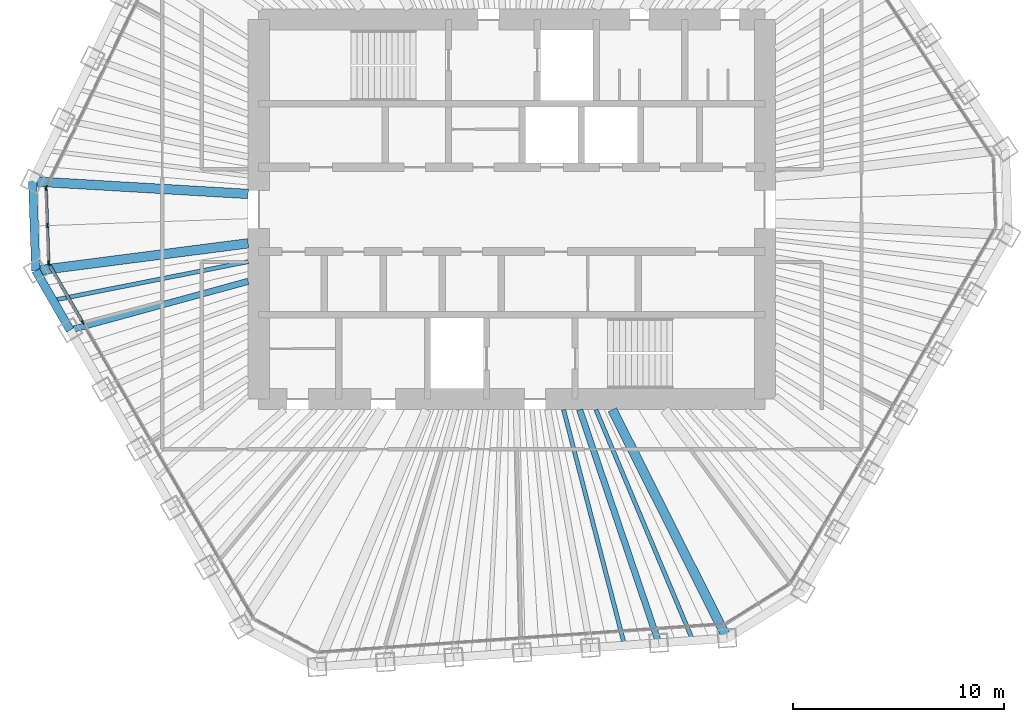
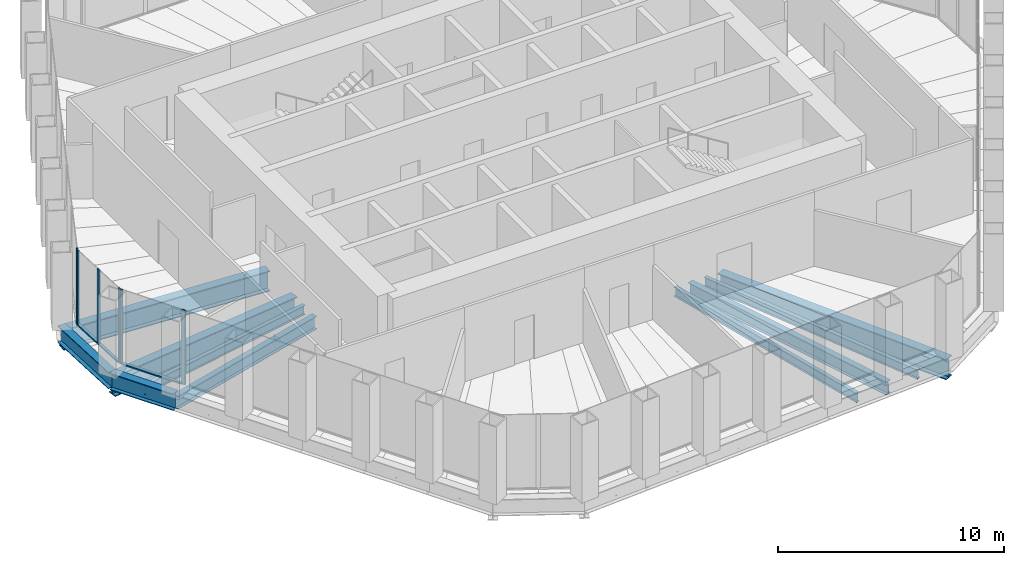
# One storey, part 3 of 14: 10 beams, 9 members, 3 elements without a shape of their own.
"""IFC4 building model written with IfcOpenShell, lengths in metres."""

from ifc_helpers import new_model, si_unit, direction, frame, origin, origin_2d, place, context, subcontext, project, spatial, rectangle, i_section, extrude, material, material_profile, profile_set, type_object, element, aggregate, save


model = new_model("IFC4")

# Units and contexts
model_context = context("Model", 3, precision=1e-05, world=origin(), true_north=direction((0.0, 1.0)))
body_context = subcontext(model_context, "Body", "Model", "MODEL_VIEW")
ifc_project = project(units=[si_unit("LENGTHUNIT", "METRE"), si_unit("AREAUNIT", "SQUARE_METRE"), si_unit("VOLUMEUNIT", "CUBIC_METRE"), si_unit("PLANEANGLEUNIT", "RADIAN"), si_unit("MASSUNIT", "GRAM", prefix="KILO")], contexts=[model_context])

# Site, building, storey
site_placement = place(None, origin())
site = spatial("IfcSite", under=ifc_project, at=site_placement, CompositionType="ELEMENT")
building_placement = place(site_placement, origin())
building = spatial("IfcBuilding", under=site, at=building_placement, Name="Qingtian Harvest Tower", CompositionType="ELEMENT")
storey_placement = place(building_placement, frame((0.0, 0.0, 295.60009765625)))
storey = spatial("IfcBuildingStorey", under=building, at=storey_placement, Name="L65", CompositionType="ELEMENT", Elevation=295.60009765625)

# Beams
ifc_material_1 = material(Name="Steel SM570MC", Category="steel")
ifc_material_profile_1 = material_profile(ifc_material_1, i_section(OverallWidth=0.449951171875, OverallDepth=1.10009765625, WebThickness=0.02197265625, FlangeThickness=0.044921875, at=origin_2d()), Name="H1100x450x22x45")
ifc_profile_set_1 = profile_set([ifc_material_profile_1], Name="Steel SM570MC")
beam_type_1 = type_object("IfcBeamType", Name="Corner floor beam FB8 H1100x450x22x45", PredefinedType="BEAM", material=ifc_profile_set_1)
beam_1_placement = place(storey_placement, frame((10.20947265625, -20.33740234375, -0.72021484375), z_axis=(-0.448646499463, 0.89370930314, 0.0), x_axis=(-0.89370930314, -0.448646499463, 0.0)))
element("IfcBeam", 1, at=beam_1_placement, inside=storey, type_object=beam_type_1, Name="Floor beam FB8 S0", PredefinedType="BEAM", context=body_context, shape_type="SweptSolid", body=[
    extrude(i_section(OverallWidth=0.449951171875, OverallDepth=1.10009765625, WebThickness=0.02197265625, FlangeThickness=0.044921875, at=origin_2d()), origin(), (0.0, 0.0, 1.0), 12.126220703125),
])
beam_2_placement = place(storey_placement, frame((-22.569580078125, -2.908447265625, -0.72021484375), z_axis=(0.991799019918, 0.127807292784, 0.0), x_axis=(-0.127807292784, 0.991799019918, 0.0)))
element("IfcBeam", 2, at=beam_2_placement, inside=storey, type_object=beam_type_1, Name="Floor beam FB8 SW6", PredefinedType="BEAM", context=body_context, shape_type="SweptSolid", body=[
    extrude(i_section(OverallWidth=0.449951171875, OverallDepth=1.10009765625, WebThickness=0.02197265625, FlangeThickness=0.044921875, at=origin_2d()), origin(), (0.0, 0.0, 1.0), 10.15283203125),
])
beam_3_placement = place(storey_placement, frame((-22.71728515625, 1.3271484375, -0.72021484375), z_axis=(0.998297736533, -0.058323487833, 0.0), x_axis=(0.058323487833, 0.998297736533, 0.0)))
element("IfcBeam", 3, at=beam_3_placement, inside=storey, type_object=beam_type_1, Name="Floor beam FB8 NW0", PredefinedType="BEAM", context=body_context, shape_type="SweptSolid", body=[
    extrude(i_section(OverallWidth=0.449951171875, OverallDepth=1.10009765625, WebThickness=0.02197265625, FlangeThickness=0.044921875, at=origin_2d()), origin(), (0.0, 0.0, 1.0), 10.234619140625),
])
ifc_material_2 = material(Name="Steel SN490B", Category="steel")
ifc_material_profile_2 = material_profile(ifc_material_2, i_section(OverallWidth=0.300048828125, OverallDepth=0.699951171875, WebThickness=0.012939453125, FlangeThickness=0.02392578125, at=origin_2d()), Name="H700x300x13x24")
ifc_profile_set_2 = profile_set([ifc_material_profile_2], Name="Steel SN490B")
beam_type_2 = type_object("IfcBeamType", Name="Floor beam FB4 H700x300x13x24", PredefinedType="BEAM", material=ifc_profile_set_2)
beam_4_placement = place(storey_placement, frame((6.96923828125, -20.56396484375, -0.52001953125), z_axis=(-0.320963665382, 0.947091508517, 0.0), x_axis=(-0.947091508517, -0.320963665382, 0.0)))
element("IfcBeam", 4, at=beam_4_placement, inside=storey, type_object=beam_type_2, Name="Floor beam FB4 S1", PredefinedType="BEAM", context=body_context, shape_type="SweptSolid", body=[
    extrude(i_section(OverallWidth=0.300048828125, OverallDepth=0.699951171875, WebThickness=0.012939453125, FlangeThickness=0.02392578125, at=origin_2d()), origin(), (0.0, 0.0, 1.0), 11.68212890625),
])
beam_5_placement = place(storey_placement, frame((-20.945556640625, -5.721435546875, -0.52001953125), z_axis=(0.964660783636, 0.263494919335, 0.0), x_axis=(-0.263494919335, 0.964660783636, 0.0)))
element("IfcBeam", 5, at=beam_5_placement, inside=storey, type_object=beam_type_2, Name="Floor beam FB4 SW5", PredefinedType="BEAM", context=body_context, shape_type="SweptSolid", body=[
    extrude(i_section(OverallWidth=0.300048828125, OverallDepth=0.699951171875, WebThickness=0.012939453125, FlangeThickness=0.02392578125, at=origin_2d()), origin(), (0.0, 0.0, 1.0), 8.7548828125),
])
ifc_material_3 = material(Name="Steel SN490B", Category="steel")
ifc_material_profile_3 = material_profile(ifc_material_3, i_section(OverallWidth=0.199951171875, OverallDepth=0.5, WebThickness=0.010009765625, FlangeThickness=0.01611328125, at=origin_2d()), Name="H500x200x10x16")
ifc_profile_set_3 = profile_set([ifc_material_profile_3], Name="Steel SN490B")
beam_type_3 = type_object("IfcBeamType", Name="Floor joist J3 H500x200x10x16", PredefinedType="JOIST", material=ifc_profile_set_3)
beam_6_placement = place(storey_placement, frame((8.58935546875, -20.45068359375, -0.420166015625), z_axis=(-0.387238075679, 0.921979757232, 0.0), x_axis=(-0.921979757232, -0.387238075679, 0.0)))
element("IfcBeam", 6, at=beam_6_placement, inside=storey, type_object=beam_type_3, Name="Floor joist J3 S0", PredefinedType="JOIST", context=body_context, shape_type="SweptSolid", body=[
    extrude(i_section(OverallWidth=0.199951171875, OverallDepth=0.5, WebThickness=0.010009765625, FlangeThickness=0.01611328125, at=origin_2d()), origin(), (0.0, 0.0, 1.0), 11.87744140625),
])
beam_7_placement = place(storey_placement, frame((5.349365234375, -20.67724609375, -0.420166015625), z_axis=(-0.250458686855, 0.968127288211, 0.0), x_axis=(-0.968127288211, -0.250458686855, 0.0)))
element("IfcBeam", 7, at=beam_7_placement, inside=storey, type_object=beam_type_3, Name="Floor joist J3 S1", PredefinedType="JOIST", context=body_context, shape_type="SweptSolid", body=[
    extrude(i_section(OverallWidth=0.199951171875, OverallDepth=0.5, WebThickness=0.010009765625, FlangeThickness=0.01611328125, at=origin_2d()), origin(), (0.0, 0.0, 1.0), 11.545166015625),
])
beam_8_placement = place(storey_placement, frame((-21.757568359375, -4.31494140625, -0.420166015625), z_axis=(0.980896774681, 0.194528962937, 0.0), x_axis=(-0.194528962937, 0.980896774681, 0.0)))
element("IfcBeam", 8, at=beam_8_placement, inside=storey, type_object=beam_type_3, Name="Floor joist J3 SW5", PredefinedType="JOIST", context=body_context, shape_type="SweptSolid", body=[
    extrude(i_section(OverallWidth=0.199951171875, OverallDepth=0.5, WebThickness=0.010009765625, FlangeThickness=0.01611328125, at=origin_2d()), origin(), (0.0, 0.0, 1.0), 9.437744140625),
])

# Curtain wall, members
ifc_material_4 = material(Name="Bronze-anodised aluminium curtain wall", Category="aluminium")
curtain_wall_type = type_object("IfcCurtainWallType", Name="Curtain wall CW5 upper office", PredefinedType="USERDEFINED", material=ifc_material_4)
curtain_wall_1_placement = place(storey_placement, origin())
curtain_wall_1 = element("IfcCurtainWall", 9, at=curtain_wall_1_placement, inside=storey, type_object=curtain_wall_type, Name="Curtain wall CW5 L65 SW0-5", ObjectType="RECESSED CURTAIN WALL", PredefinedType="USERDEFINED")
ifc_material_5 = material(Name="Bronze-anodised aluminium mullion", Category="aluminium")
ifc_material_profile_4 = material_profile(ifc_material_5, rectangle(XDim=0.06494140625, YDim=0.199951171875, at=origin_2d()), Name="AL 65x200")
ifc_profile_set_4 = profile_set([ifc_material_profile_4], Name="Bronze-anodised aluminium mullion")
member_type_1 = type_object("IfcMemberType", Name="Mullion CWM 65x200", PredefinedType="MULLION", material=ifc_profile_set_4)
member_1_placement = place(storey_placement, frame((-20.33935546875, -5.371337890625, 0.0), z_axis=(0.0, 0.0, 1.0), x_axis=(-0.866025403784, -0.5, 0.0)))
member_1 = element("IfcMember", 10, at=member_1_placement, type_object=member_type_1, Name="CW5 mullion 6", PredefinedType="MULLION", context=body_context, shape_type="SweptSolid", body=[
    extrude(rectangle(XDim=0.06494140625, YDim=0.199951171875, at=origin_2d()), origin(), (0.0, 0.0, 1.0), 4.02978515625),
])
member_2_placement = place(storey_placement, frame((-21.947021484375, -2.586669921875, 0.0), z_axis=(0.0, 0.0, 1.0), x_axis=(-0.866025403784, -0.5, 0.0)))
member_2 = element("IfcMember", 11, at=member_2_placement, type_object=member_type_1, Name="CW5 mullion 7", PredefinedType="MULLION", context=body_context, shape_type="SweptSolid", body=[
    extrude(rectangle(XDim=0.06494140625, YDim=0.199951171875, at=origin_2d()), origin(), (0.0, 0.0, 1.0), 4.02978515625),
])

curtain_wall_2_placement = place(storey_placement, origin())
curtain_wall_2 = element("IfcCurtainWall", 12, at=curtain_wall_2_placement, inside=storey, type_object=curtain_wall_type, Name="Curtain wall CW5 L65 SWC", ObjectType="RECESSED CURTAIN WALL", PredefinedType="USERDEFINED")
member_3_placement = place(storey_placement, frame((-21.96435546875, -2.526123046875, 0.0), z_axis=(0.0, 0.0, 1.0), x_axis=(-0.999390827019, -0.034899496703, 0.0)))
member_3 = element("IfcMember", 13, at=member_3_placement, type_object=member_type_1, Name="CW5 mullion 1", PredefinedType="MULLION", context=body_context, shape_type="SweptSolid", body=[
    extrude(rectangle(XDim=0.06494140625, YDim=0.199951171875, at=origin_2d()), origin(), (0.0, 0.0, 1.0), 4.02978515625),
])
member_4_placement = place(storey_placement, frame((-22.025634765625, -0.76904296875, 0.0), z_axis=(0.0, 0.0, 1.0), x_axis=(-0.999390827019, -0.034899496703, 0.0)))
member_4 = element("IfcMember", 14, at=member_4_placement, type_object=member_type_1, Name="CW5 mullion 2", PredefinedType="MULLION", context=body_context, shape_type="SweptSolid", body=[
    extrude(rectangle(XDim=0.06494140625, YDim=0.199951171875, at=origin_2d()), origin(), (0.0, 0.0, 1.0), 4.02978515625),
])
member_5_placement = place(storey_placement, frame((-22.087158203125, 0.98779296875, 0.0), z_axis=(0.0, 0.0, 1.0), x_axis=(-0.999390827019, -0.034899496703, 0.0)))
member_5 = element("IfcMember", 15, at=member_5_placement, type_object=member_type_1, Name="CW5 mullion 3", PredefinedType="MULLION", context=body_context, shape_type="SweptSolid", body=[
    extrude(rectangle(XDim=0.06494140625, YDim=0.199951171875, at=origin_2d()), origin(), (0.0, 0.0, 1.0), 4.02978515625),
])

# Curtain wall, member
curtain_wall_3_placement = place(storey_placement, origin())
curtain_wall_3 = element("IfcCurtainWall", 16, at=curtain_wall_3_placement, inside=storey, type_object=curtain_wall_type, Name="Curtain wall CW5 L65 NW0-5", ObjectType="RECESSED CURTAIN WALL", PredefinedType="USERDEFINED")
member_6_placement = place(storey_placement, frame((-22.073974609375, 1.04931640625, 0.0), z_axis=(0.0, 0.0, 1.0), x_axis=(-0.898794046299, 0.438371146789, 0.0)))
member_6 = element("IfcMember", 17, at=member_6_placement, type_object=member_type_1, Name="CW5 mullion 1", PredefinedType="MULLION", context=body_context, shape_type="SweptSolid", body=[
    extrude(rectangle(XDim=0.06494140625, YDim=0.199951171875, at=origin_2d()), origin(), (0.0, 0.0, 1.0), 4.02978515625),
])
aggregate(curtain_wall_3, [member_6])

# Beams
ifc_material_6 = material(Name="Steel SN490B", Category="steel")
ifc_material_profile_5 = material_profile(ifc_material_6, i_section(OverallWidth=0.39990234375, OverallDepth=0.89990234375, WebThickness=0.01904296875, FlangeThickness=0.035888671875, at=origin_2d()), Name="H900x400x19x36")
ifc_profile_set_5 = profile_set([ifc_material_profile_5], Name="Steel SN490B")
beam_type_4 = type_object("IfcBeamType", Name="Spandrel beam SB4 H900x400x19x36", PredefinedType="SPANDREL", material=ifc_profile_set_5)
beam_9_placement = place(storey_placement, frame((-20.945556640625, -5.721435546875, -0.4501953125), z_axis=(-0.499987045439, 0.866032882975, 0.0), x_axis=(-0.866032882975, -0.499987045439, 0.0)))
element("IfcBeam", 18, at=beam_9_placement, inside=storey, type_object=beam_type_4, Name="Spandrel SB4 SW5", PredefinedType="SPANDREL", context=body_context, shape_type="SweptSolid", body=[
    extrude(i_section(OverallWidth=0.39990234375, OverallDepth=0.89990234375, WebThickness=0.01904296875, FlangeThickness=0.035888671875, at=origin_2d()), origin(), (0.0, 0.0, 1.0), 3.248046875),
])
beam_10_placement = place(storey_placement, frame((-22.569580078125, -2.908447265625, -0.4501953125), z_axis=(-0.034851142499, 0.999392514414, 0.0), x_axis=(-0.999392514414, -0.034851142499, 0.0)))
element("IfcBeam", 19, at=beam_10_placement, inside=storey, type_object=beam_type_4, Name="Spandrel SB4 SWC", PredefinedType="SPANDREL", context=body_context, shape_type="SweptSolid", body=[
    extrude(i_section(OverallWidth=0.39990234375, OverallDepth=0.89990234375, WebThickness=0.01904296875, FlangeThickness=0.035888671875, at=origin_2d()), origin(), (0.0, 0.0, 1.0), 4.23828125),
])

# Member
ifc_material_7 = material(Name="Bronze-anodised aluminium transom", Category="aluminium")
ifc_material_profile_6 = material_profile(ifc_material_7, rectangle(XDim=0.14990234375, YDim=0.06494140625, at=origin_2d()), Name="AL 65x150")
ifc_profile_set_6 = profile_set([ifc_material_profile_6], Name="Bronze-anodised aluminium transom")
member_type_2 = type_object("IfcMemberType", Name="Transom CWT 65x150", PredefinedType="USERDEFINED", material=ifc_profile_set_6)
member_7_placement = place(storey_placement, frame((-20.35546875, -5.34326171875, 0.032470703125), z_axis=(-0.499972881236, 0.866041060244, 0.0), x_axis=(-0.866041060244, -0.499972881236, 0.0)))
member_7 = element("IfcMember", 20, at=member_7_placement, type_object=member_type_2, Name="CW5 transom 6.1", ObjectType="TRANSOM", PredefinedType="USERDEFINED", context=body_context, shape_type="SweptSolid", body=[
    extrude(rectangle(XDim=0.14990234375, YDim=0.06494140625, at=origin_2d()), origin(), (0.0, 0.0, 1.0), 3.150634765625),
])

aggregate(curtain_wall_1, [member_1, member_2, member_7])

member_8_placement = place(storey_placement, frame((-21.965576171875, -2.49365234375, 0.032470703125), z_axis=(-0.034899362377, 0.99939083171, 0.0), x_axis=(-0.99939083171, -0.034899362377, 0.0)))
member_8 = element("IfcMember", 21, at=member_8_placement, type_object=member_type_2, Name="CW5 transom 1.1", ObjectType="TRANSOM", PredefinedType="USERDEFINED", context=body_context, shape_type="SweptSolid", body=[
    extrude(rectangle(XDim=0.14990234375, YDim=0.06494140625, at=origin_2d()), origin(), (0.0, 0.0, 1.0), 1.69287109375),
])

member_9_placement = place(storey_placement, frame((-22.02685546875, -0.736572265625, 0.032470703125), z_axis=(-0.034899362377, 0.99939083171, 0.0), x_axis=(-0.99939083171, -0.034899362377, 0.0)))
member_9 = element("IfcMember", 22, at=member_9_placement, type_object=member_type_2, Name="CW5 transom 2.1", ObjectType="TRANSOM", PredefinedType="USERDEFINED", context=body_context, shape_type="SweptSolid", body=[
    extrude(rectangle(XDim=0.14990234375, YDim=0.06494140625, at=origin_2d()), origin(), (0.0, 0.0, 1.0), 1.69287109375),
])

aggregate(curtain_wall_2, [member_3, member_4, member_5, member_8, member_9])

save(model, "model.ifc")
